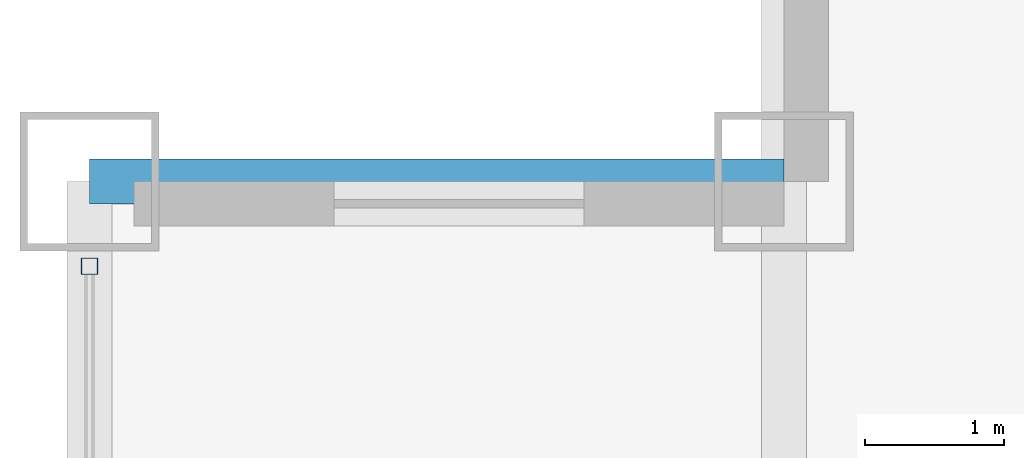
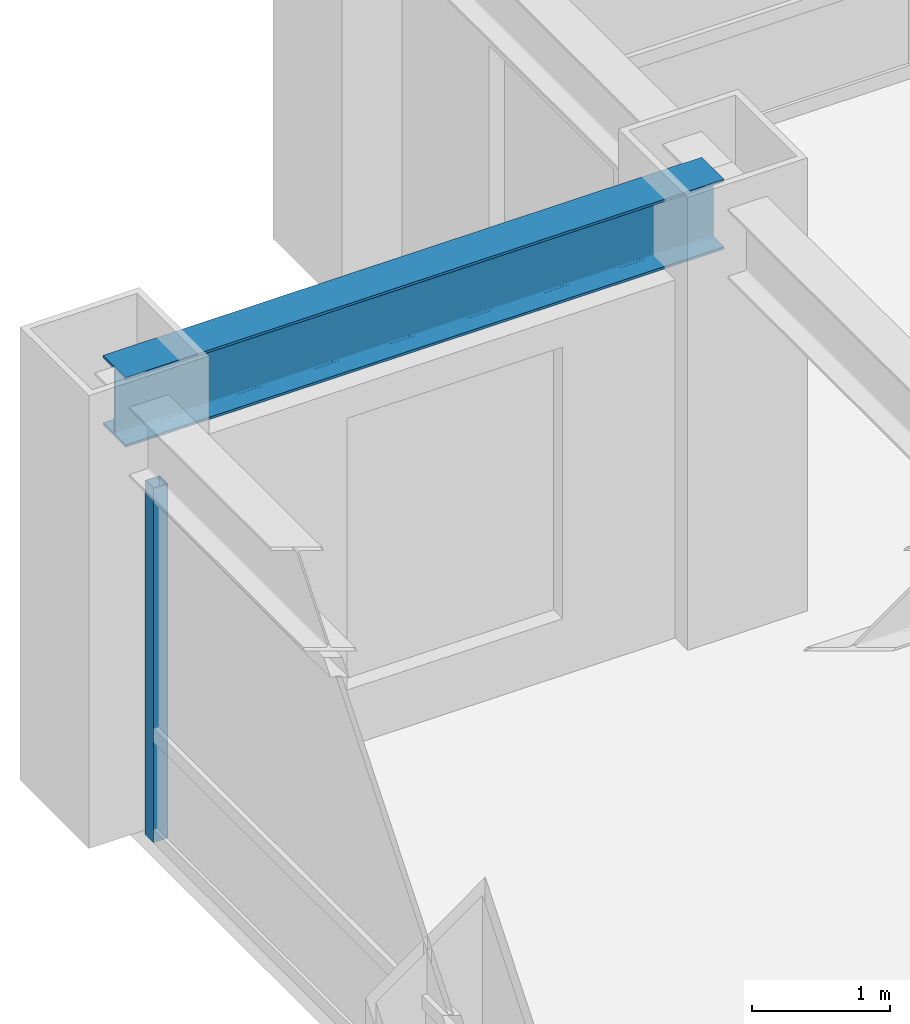
# One storey, part 12 of 24: 1 beam, 1 member, 1 element without a shape of its own.
"""IFC4 building model written with IfcOpenShell, lengths in metres."""

from ifc_helpers import new_model, si_unit, direction, frame, origin, origin_2d, place, context, subcontext, project, spatial, hollow_rectangle, i_section, extrude, source, transform, mapped, material, material_profile, profile_set, type_object, element, aggregate, save


model = new_model("IFC4")

# Units and contexts
model_context = context("Model", 3, precision=1e-05, world=origin(), true_north=direction((0.0, 1.0)))
body_context = subcontext(model_context, "Body", "Model", "MODEL_VIEW")
ifc_project = project(units=[si_unit("LENGTHUNIT", "METRE"), si_unit("AREAUNIT", "SQUARE_METRE"), si_unit("VOLUMEUNIT", "CUBIC_METRE"), si_unit("PLANEANGLEUNIT", "RADIAN"), si_unit("MASSUNIT", "GRAM", prefix="KILO")], contexts=[model_context])

# Site, building, storey
site_placement = place(None, origin())
site = spatial("IfcSite", under=ifc_project, at=site_placement, CompositionType="ELEMENT")
building_placement = place(site_placement, origin())
building = spatial("IfcBuilding", under=site, at=building_placement, Name="Khorayat Bourse Tower", CompositionType="ELEMENT")
storey_placement = place(building_placement, frame((0.0, 0.0, 215.10009765625)))
storey = spatial("IfcBuildingStorey", under=building, at=storey_placement, Name="L50", CompositionType="ELEMENT", Elevation=215.10009765625)

# Beam
ifc_material_1 = material(Name="Steel ASTM A992 Grade 50", Category="steel")
ifc_material_profile_1 = material_profile(ifc_material_1, i_section(OverallWidth=0.324951171875, OverallDepth=0.615966796875, WebThickness=0.013916015625, FlangeThickness=0.021484375, FilletRadius=0.01611328125, at=origin_2d()), Name="W610X174")
ifc_profile_set_1 = profile_set([ifc_material_profile_1], Name="Steel ASTM A992 Grade 50")
beam_type = type_object("IfcBeamType", Name="BM-SPAN-610", PredefinedType="SPANDREL", material=ifc_profile_set_1)
shared_shape_1 = source(origin(), body_context, "Body", "SweptSolid", [
    extrude(i_section(OverallWidth=0.324951171875, OverallDepth=0.615966796875, WebThickness=0.013916015625, FlangeThickness=0.021484375, FilletRadius=0.01611328125, at=origin_2d()), origin(), (0.0, 0.0, 1.0), 5.0),
])
beam_placement = place(storey_placement, frame((-30.0, 25.0, 3.471923828125), z_axis=(1.0, 0.0, 0.0), x_axis=(0.0, 1.0, 0.0)))
element("IfcBeam", 1, at=beam_placement, inside=storey, type_object=beam_type, Name="L50 BM-SPAN-610 BM-L50-SPN-053", PredefinedType="SPANDREL", context=body_context, shape_type="MappedRepresentation", body=[
    mapped(shared_shape_1, transform((0.0, 0.0, 0.0), scale=1.0)),
])

# Curtain wall, member
ifc_material_2 = material(Name="Aluminium EN AW-6063 T6", Category="aluminium")
curtain_wall_type = type_object("IfcCurtainWallType", Name="CW-SYS-03", PredefinedType="NOTDEFINED", material=ifc_material_2)
curtain_wall_placement = place(storey_placement, origin())
curtain_wall = element("IfcCurtainWall", 2, at=curtain_wall_placement, inside=storey, type_object=curtain_wall_type, Name="L50 Curtain Wall CW-L50-W1", PredefinedType="NOTDEFINED")
ifc_material_profile_2 = material_profile(ifc_material_2, hollow_rectangle(XDim=0.1201171875, YDim=0.1201171875, WallThickness=0.0048828125, at=origin_2d()), Name="ALU 120x120x5")
ifc_profile_set_2 = profile_set([ifc_material_profile_2], Name="Aluminium EN AW-6063 T6")
member_type = type_object("IfcMemberType", Name="CWM-VERT-120", PredefinedType="MULLION", material=ifc_profile_set_2)
shared_shape_2 = source(origin(), body_context, "Body", "SweptSolid", [
    extrude(hollow_rectangle(XDim=0.1201171875, YDim=0.1201171875, WallThickness=0.0048828125, at=origin_2d()), origin(), (0.0, 0.0, 1.0), 3.1298828125),
])
member_placement = place(storey_placement, frame((-30.0, 24.389892578125, 0.0), z_axis=(0.0, 0.0, 1.0), x_axis=(-1.0, 0.0, 0.0)))
member = element("IfcMember", 3, at=member_placement, type_object=member_type, Name="CW-L50-W1 Vertical Mullion 3", PredefinedType="MULLION", context=body_context, shape_type="MappedRepresentation", body=[
    mapped(shared_shape_2, transform((0.0, 0.0, 0.0), scale=1.0)),
])
aggregate(curtain_wall, [member])

save(model, "model.ifc")
